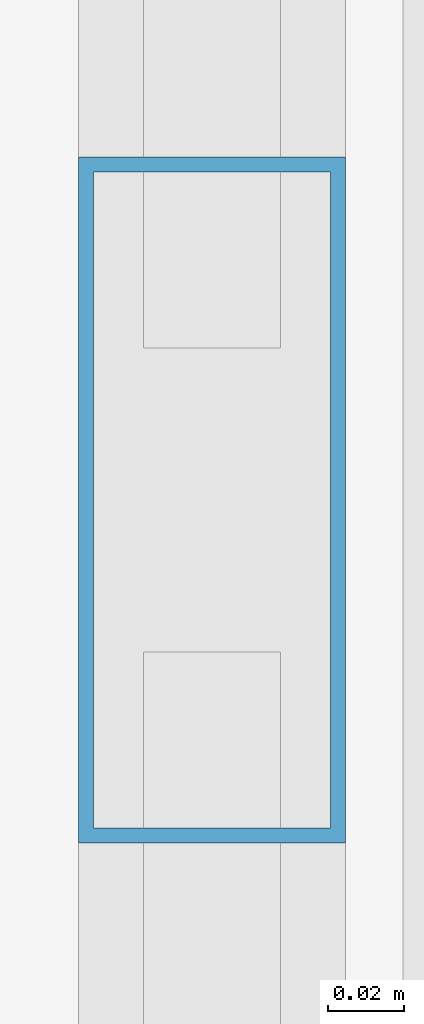
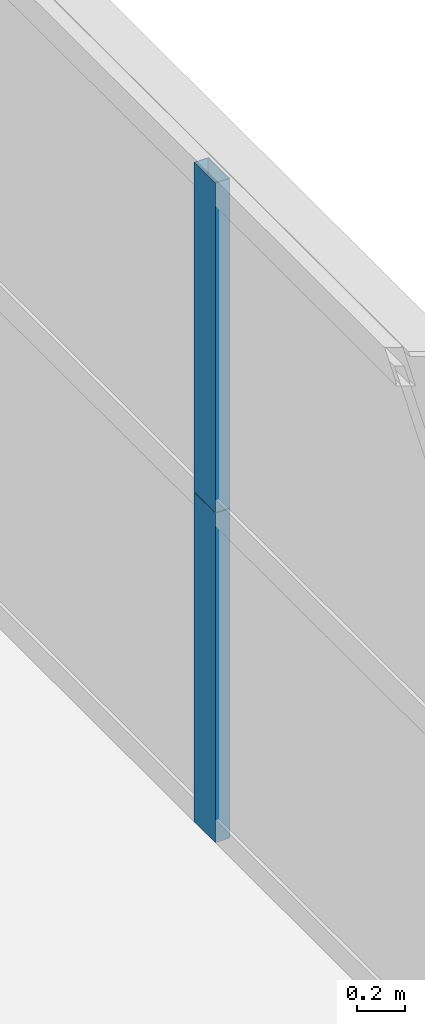
# One storey, part 18 of 39: 2 members, 1 element without a shape of its own.
"""IFC4 building model written with IfcOpenShell, lengths in metres."""

import ifcopenshell
import ifcopenshell.guid

model = None  # the IFC model being written
_history = None  # IfcOwnerHistory: only IFC2X3 demands one
_inside = {}  # id of a spatial element -> (the spatial element, [elements in it])
_under = {}  # id of a project, library or spatial element -> (it, [spatial elements below it])
_declared = {}  # id of a project -> (the project, [libraries it declares])
_typed = {}  # id of a type object -> (the type object, [elements of that type])
_made_of = {}  # id of a material, layer set ... -> (it, [elements and type objects made of it])


def new_model(schema):
    """Start an empty IFC model of exactly this schema.

    Asked for "IFC4X3", IfcOpenShell would pick the latest addendum, in which some entities
    have other attributes; the version numbers below select the first issue.
    IFC2X3 requires an IfcOwnerHistory on every rooted entity: one is made here for all.
    """
    global model, _history
    if schema == "IFC4X3":
        model = ifcopenshell.file(schema_version=(4, 3, 0, 0))
    else:
        model = ifcopenshell.file(schema=schema)
    _inside.clear()
    _under.clear()
    _declared.clear()
    _typed.clear()
    _made_of.clear()
    _history = None
    if model.schema == "IFC2X3":
        org = make("IfcOrganization", Name="unknown")
        user = make(
            "IfcPersonAndOrganization",
            ThePerson=make("IfcPerson", FamilyName="unknown"),
            TheOrganization=org,
        )
        app = make(
            "IfcApplication",
            ApplicationDeveloper=org,
            Version="unknown",
            ApplicationFullName="unknown",
            ApplicationIdentifier="unknown",
        )
        _history = make(
            "IfcOwnerHistory",
            OwningUser=user,
            OwningApplication=app,
            ChangeAction="ADDED",
            CreationDate=0,
        )
    return model


def make(cls, **values):
    """One entity of the class cls with the attributes given. An attribute that is None is left unset."""
    return model.create_entity(
        cls, **{name: value for name, value in values.items() if value is not None}
    )


def rooted(cls, **values):
    """An entity with a GlobalId (a new one), such as an element, a storey or a relation."""
    return make(cls, GlobalId=ifcopenshell.guid.new(), OwnerHistory=_history, **values)


def si_unit(unit_type, name, prefix=None):
    """IfcSIUnit, for example si_unit("LENGTHUNIT", "METRE", prefix="MILLI")."""
    return make("IfcSIUnit", UnitType=unit_type, Prefix=prefix, Name=name)


def assignment(units):
    """IfcUnitAssignment: the units of a project."""
    return None if units is None else make("IfcUnitAssignment", Units=units)


def point(xyz):
    """IfcCartesianPoint."""
    return None if xyz is None else make("IfcCartesianPoint", Coordinates=xyz)


def direction(xyz):
    """IfcDirection."""
    return None if xyz is None else make("IfcDirection", DirectionRatios=xyz)


def frame(location, z_axis=None, x_axis=None):
    """IfcAxis2Placement3D, a coordinate frame: its origin and axes. An axis left out is left unset."""
    return make(
        "IfcAxis2Placement3D",
        Location=point(location),
        Axis=direction(z_axis),
        RefDirection=direction(x_axis),
    )


def frame_2d(location, x_axis=None):
    """IfcAxis2Placement2D, a coordinate frame in the plane: its origin and x axis."""
    return make(
        "IfcAxis2Placement2D", Location=point(location), RefDirection=direction(x_axis)
    )


def origin():
    """The frame at (0, 0, 0) with its axes left unset."""
    return frame((0.0, 0.0, 0.0))


def origin_2d():
    """The frame at (0, 0) in the plane with its x axis left unset."""
    return frame_2d((0.0, 0.0))


def place(relative_to, where):
    """IfcLocalPlacement: puts the frame where relative to a parent placement (None: the world)."""
    return make(
        "IfcLocalPlacement", PlacementRelTo=relative_to, RelativePlacement=where
    )


def context(
    kind, dimensions, precision=None, world=None, true_north=None, identifier=None
):
    """IfcGeometricRepresentationContext, for example the 3D "Model" context."""
    return make(
        "IfcGeometricRepresentationContext",
        ContextIdentifier=identifier,
        ContextType=kind,
        CoordinateSpaceDimension=dimensions,
        Precision=precision,
        WorldCoordinateSystem=world,
        TrueNorth=true_north,
    )


def subcontext(parent, identifier, kind, view, scale=None):
    """IfcGeometricRepresentationSubContext, for example "Body" below "Model"."""
    return make(
        "IfcGeometricRepresentationSubContext",
        ContextIdentifier=identifier,
        ContextType=kind,
        ParentContext=parent,
        TargetScale=scale,
        TargetView=view,
    )


def project(units=None, contexts=None):
    """IfcProject with its units and contexts."""
    return rooted(
        "IfcProject",
        Name="project",
        RepresentationContexts=contexts,
        UnitsInContext=assignment(units),
    )


def spatial(cls, under=None, at=None, **own):
    """A site, building, storey or space (cls), placed at a placement, below another one or the project."""
    s = rooted(cls, ObjectPlacement=at, **own)
    if under is not None:
        _under.setdefault(under.id(), (under, []))[1].append(s)
    return s


def profile(cls, at=None, kind="AREA", **sizes):
    """A parametric profile (cls). Its sizes go by their IFC names, for example OverallWidth=200.0."""
    return make(cls, ProfileType=kind, Position=at, **sizes)


def hollow_rectangle(**sizes):
    """IfcRectangleHollowProfileDef."""
    return profile("IfcRectangleHollowProfileDef", **sizes)


def extrude(swept, where, along, depth):
    """IfcExtrudedAreaSolid: the profile swept, set in the frame where, extruded along a direction by depth."""
    return make(
        "IfcExtrudedAreaSolid",
        SweptArea=swept,
        Position=where,
        ExtrudedDirection=direction(along),
        Depth=depth,
    )


def shape(context_of_items, identifier, shape_type, items):
    """IfcShapeRepresentation: the items that make up one representation, for example the "Body"."""
    return make(
        "IfcShapeRepresentation",
        ContextOfItems=context_of_items,
        RepresentationIdentifier=identifier,
        RepresentationType=shape_type,
        Items=items,
    )


def source(mapping_origin, context_of_items, identifier, shape_type, items):
    """IfcRepresentationMap: a shape defined once, which mapped items show again and again."""
    return make(
        "IfcRepresentationMap",
        MappingOrigin=mapping_origin,
        MappedRepresentation=shape(context_of_items, identifier, shape_type, items),
    )


def transform(
    local_origin,
    x_axis=None,
    y_axis=None,
    z_axis=None,
    scale=None,
    scale2=None,
    scale3=None,
    uniform=True,
):
    """IfcCartesianTransformationOperator3D, or its non-uniform kind. x_axis, y_axis, z_axis: its Axis1, 2, 3."""
    if uniform:
        return make(
            "IfcCartesianTransformationOperator3D",
            Axis1=direction(x_axis),
            Axis2=direction(y_axis),
            LocalOrigin=point(local_origin),
            Scale=scale,
            Axis3=direction(z_axis),
        )
    return make(
        "IfcCartesianTransformationOperator3DnonUniform",
        Axis1=direction(x_axis),
        Axis2=direction(y_axis),
        LocalOrigin=point(local_origin),
        Scale=scale,
        Axis3=direction(z_axis),
        Scale2=scale2,
        Scale3=scale3,
    )


def mapped(mapping_source, mapping_target):
    """IfcMappedItem: shows the shape of a source again, moved by a transform."""
    return make(
        "IfcMappedItem", MappingSource=mapping_source, MappingTarget=mapping_target
    )


def material(Name=None, Category=None):
    """IfcMaterial."""
    return make("IfcMaterial", Name=Name, Category=Category)


def layer(
    of_material, thickness, ventilated=None, Name=None, Category=None, Priority=None
):
    """IfcMaterialLayer: one layer of a wall or slab, of a material (None: an air gap)."""
    return make(
        "IfcMaterialLayer",
        Material=of_material,
        LayerThickness=thickness,
        IsVentilated=ventilated,
        Name=Name,
        Category=Category,
        Priority=Priority,
    )


def layer_set(layers, Name=None):
    """IfcMaterialLayerSet."""
    return make("IfcMaterialLayerSet", MaterialLayers=layers, LayerSetName=Name)


def material_profile(
    of_material, cross_section, Name=None, Category=None, Priority=None
):
    """IfcMaterialProfile: a cross section and its material."""
    return make(
        "IfcMaterialProfile",
        Name=Name,
        Material=of_material,
        Profile=cross_section,
        Priority=Priority,
        Category=Category,
    )


def profile_set(profiles, Name=None, composite=None):
    """IfcMaterialProfileSet."""
    return make(
        "IfcMaterialProfileSet",
        Name=Name,
        MaterialProfiles=profiles,
        CompositeProfile=composite,
    )


def made_of(thing, what):
    """Note that an element or type object is made of a material, layer set ...; save() writes the relation."""
    if what is not None:
        _made_of.setdefault(what.id(), (what, []))[1].append(thing)
    return thing


def type_object(cls, material=None, **own):
    """A type object (cls), such as IfcWallType, which elements share."""
    return made_of(rooted(cls, **own), material)


def element(
    cls,
    number,
    at=None,
    inside=None,
    cuts=None,
    type_object=None,
    material=None,
    context=None,
    identifier="Body",
    shape_type=None,
    held_by="IfcProductDefinitionShape",
    body=None,
    shapes=None,
    **own,
):
    """One element of the class cls, such as IfcWall. Its Tag is "e" and its number.

    at: its placement. inside: the storey or other place that contains it. cuts: it is an
    opening in that element (IfcRelVoidsElement). A single representation is given by context,
    identifier, shape_type and body (its items); several are given by shapes. held_by: the class
    of the entity that holds the representations. save() writes the other relations.
    """
    e = rooted(cls, Tag="e%d" % number, ObjectPlacement=at, **own)
    if body is not None:
        shapes = [shape(context, identifier, shape_type, body)]
    if shapes is not None:
        e.Representation = make(held_by, Representations=shapes)
    if inside is not None:
        _inside.setdefault(inside.id(), (inside, []))[1].append(e)
    if cuts is not None:
        rooted(
            "IfcRelVoidsElement", RelatingBuildingElement=cuts, RelatedOpeningElement=e
        )
    if type_object is not None:
        _typed.setdefault(type_object.id(), (type_object, []))[1].append(e)
    return made_of(e, material)


def aggregate(whole, parts):
    """IfcRelAggregates: a whole, such as a stair, and the parts it consists of."""
    return rooted("IfcRelAggregates", RelatingObject=whole, RelatedObjects=parts)


def save(model, path):
    """Write the relations noted so far, then the file.

    IfcRelAggregates (storeys below a building ...), IfcRelContainedInSpatialStructure (elements
    in a storey), IfcRelDefinesByType, IfcRelAssociatesMaterial and IfcRelDeclares: one each for
    every whole, place, type object, material and project.
    """
    for whole, parts in _under.values():
        aggregate(whole, parts)
    for where, things in _inside.values():
        rooted(
            "IfcRelContainedInSpatialStructure",
            RelatedElements=things,
            RelatingStructure=where,
        )
    for kind, things in _typed.values():
        rooted("IfcRelDefinesByType", RelatedObjects=things, RelatingType=kind)
    for what, things in _made_of.values():
        rooted("IfcRelAssociatesMaterial", RelatedObjects=things, RelatingMaterial=what)
    for by, libraries in _declared.values():
        rooted("IfcRelDeclares", RelatingContext=by, RelatedDefinitions=libraries)
    model.write(path)


model = new_model("IFC4")

# Units and contexts
model_context = context("Model", 3, precision=1e-05, world=origin(), true_north=direction((0.0, 1.0)))
body_context = subcontext(model_context, "Body", "Model", "MODEL_VIEW")
ifc_project = project(units=[si_unit("LENGTHUNIT", "METRE"), si_unit("AREAUNIT", "SQUARE_METRE"), si_unit("VOLUMEUNIT", "CUBIC_METRE"), si_unit("PLANEANGLEUNIT", "RADIAN"), si_unit("MASSUNIT", "GRAM", prefix="KILO"), si_unit("THERMODYNAMICTEMPERATUREUNIT", "KELVIN"), si_unit("POWERUNIT", "WATT")], contexts=[model_context])

# Site, building, storey
site_placement = place(None, origin())
site = spatial("IfcSite", under=ifc_project, at=site_placement, CompositionType="ELEMENT")
building_placement = place(site_placement, origin())
building = spatial("IfcBuilding", under=site, at=building_placement, Name="Yuzanri Waterfront Tower", CompositionType="ELEMENT")
storey_placement = place(building_placement, frame((0.0, 0.0, 148.800048828125)))
storey = spatial("IfcBuildingStorey", under=building, at=storey_placement, Name="L39", CompositionType="ELEMENT", Elevation=148.800048828125)

# Curtain wall, members
ifc_material_1 = material(Name="Anodized Architectural Bronze", Category="metal")
ifc_layer = layer(ifc_material_1, 0.159912109375)
ifc_layer_set = layer_set([ifc_layer], Name="Anodized Architectural Bronze")
curtain_wall_type = type_object("IfcCurtainWallType", Name="Anodized Bronze Hotel Upper-Tier Solar-Control Unitized Curtain Wall 7800", PredefinedType="NOTDEFINED", material=ifc_layer_set)
curtain_wall_placement = place(storey_placement, origin())
curtain_wall = element("IfcCurtainWall", 1, at=curtain_wall_placement, inside=storey, type_object=curtain_wall_type, Name="L39 Curtain Wall CW-L39-EL", PredefinedType="NOTDEFINED")
ifc_material_2 = material(Name="Anodized Architectural Bronze", Category="metal")
ifc_material_profile = material_profile(ifc_material_2, hollow_rectangle(XDim=0.070068359375, YDim=0.179931640625, WallThickness=0.00390625, at=origin_2d()), Name="CWM 70x180")
ifc_profile_set = profile_set([ifc_material_profile], Name="Anodized Architectural Bronze")
member_type = type_object("IfcMemberType", Name="Anodized Bronze Standard Curtain-Wall Mullion 70x180", PredefinedType="MULLION", material=ifc_profile_set)
shared_shape = source(origin(), body_context, "Body", "SweptSolid", [
    extrude(hollow_rectangle(XDim=0.070068359375, YDim=0.179931640625, WallThickness=0.00390625, at=origin_2d()), origin(), (0.0, 0.0, 1.0), 1.68798828125),
])
member_1_placement = place(storey_placement, frame((60.449951171875, 17.449951171875, 0.0), z_axis=(0.0, 0.0, 1.0), x_axis=(1.0, 0.0, 0.0)))
member_1 = element("IfcMember", 2, at=member_1_placement, type_object=member_type, Name="CW-L39-EL Lower Mullion 01", PredefinedType="MULLION", context=body_context, shape_type="MappedRepresentation", body=[
    mapped(shared_shape, transform((0.0, 0.0, 0.0), scale=1.0)),
])
member_2_placement = place(storey_placement, frame((60.449951171875, 17.449951171875, 1.69189453125), z_axis=(0.0, 0.0, 1.0), x_axis=(1.0, 0.0, 0.0)))
member_2 = element("IfcMember", 3, at=member_2_placement, type_object=member_type, Name="CW-L39-EL Upper Mullion 01", PredefinedType="MULLION", context=body_context, shape_type="MappedRepresentation", body=[
    mapped(shared_shape, transform((0.0, 0.0, 0.0), scale=1.0)),
])
aggregate(curtain_wall, [member_1, member_2])

save(model, "model.ifc")
